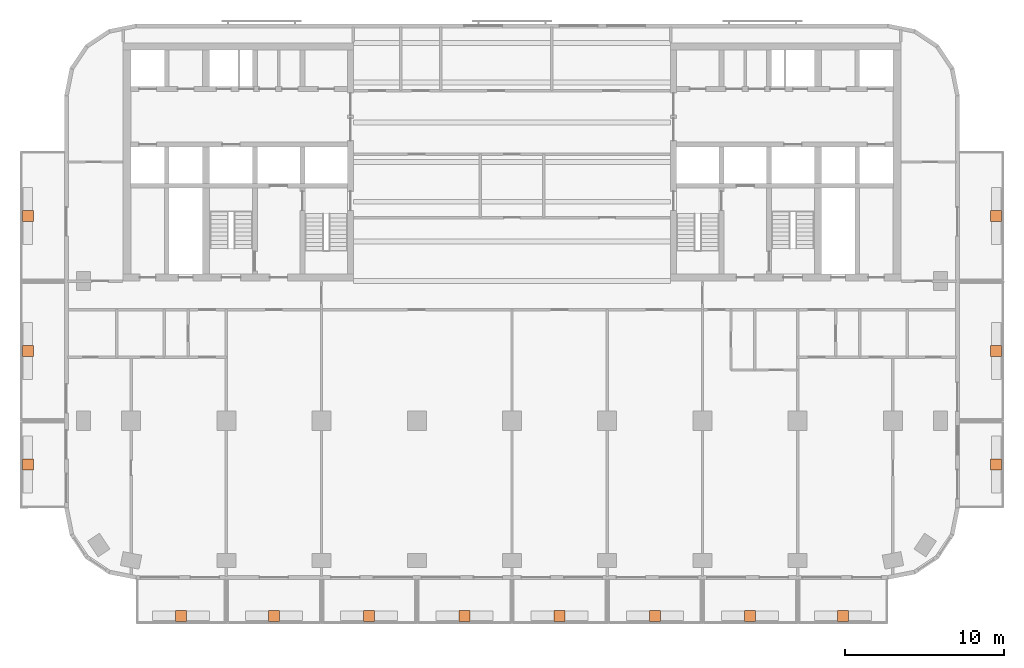
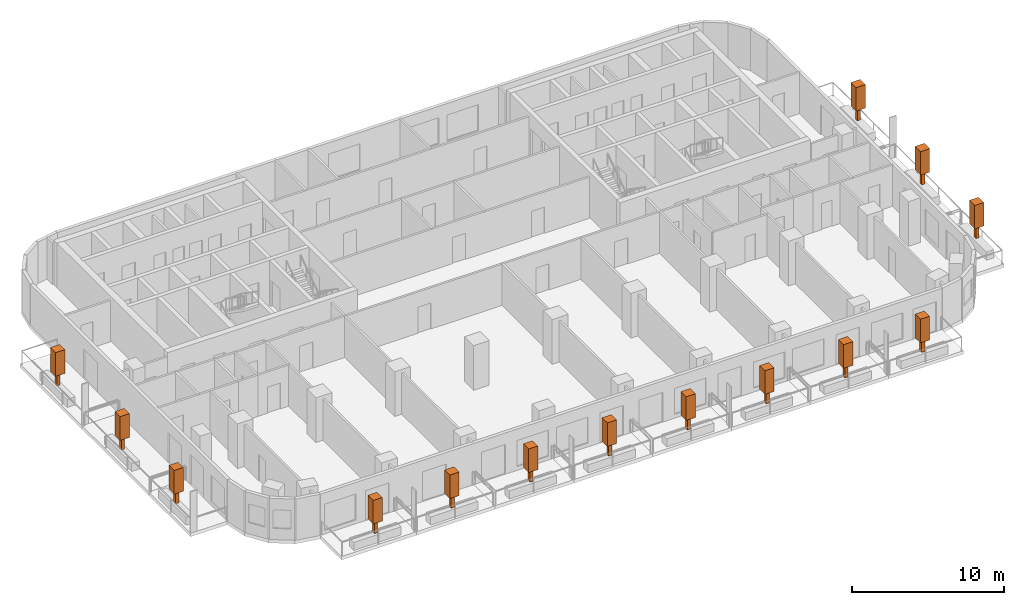
# One storey, part 11 of 11: 14 geographic elements.
"""IFC4 building model written with IfcOpenShell, lengths in metres."""

import ifcopenshell
import ifcopenshell.guid

model = None  # the IFC model being written
_history = None  # IfcOwnerHistory: only IFC2X3 demands one
_inside = {}  # id of a spatial element -> (the spatial element, [elements in it])
_under = {}  # id of a project, library or spatial element -> (it, [spatial elements below it])
_declared = {}  # id of a project -> (the project, [libraries it declares])
_typed = {}  # id of a type object -> (the type object, [elements of that type])
_made_of = {}  # id of a material, layer set ... -> (it, [elements and type objects made of it])


def new_model(schema):
    """Start an empty IFC model of exactly this schema.

    Asked for "IFC4X3", IfcOpenShell would pick the latest addendum, in which some entities
    have other attributes; the version numbers below select the first issue.
    IFC2X3 requires an IfcOwnerHistory on every rooted entity: one is made here for all.
    """
    global model, _history
    if schema == "IFC4X3":
        model = ifcopenshell.file(schema_version=(4, 3, 0, 0))
    else:
        model = ifcopenshell.file(schema=schema)
    _inside.clear()
    _under.clear()
    _declared.clear()
    _typed.clear()
    _made_of.clear()
    _history = None
    if model.schema == "IFC2X3":
        org = make("IfcOrganization", Name="unknown")
        user = make(
            "IfcPersonAndOrganization",
            ThePerson=make("IfcPerson", FamilyName="unknown"),
            TheOrganization=org,
        )
        app = make(
            "IfcApplication",
            ApplicationDeveloper=org,
            Version="unknown",
            ApplicationFullName="unknown",
            ApplicationIdentifier="unknown",
        )
        _history = make(
            "IfcOwnerHistory",
            OwningUser=user,
            OwningApplication=app,
            ChangeAction="ADDED",
            CreationDate=0,
        )
    return model


def make(cls, **values):
    """One entity of the class cls with the attributes given. An attribute that is None is left unset."""
    return model.create_entity(
        cls, **{name: value for name, value in values.items() if value is not None}
    )


def rooted(cls, **values):
    """An entity with a GlobalId (a new one), such as an element, a storey or a relation."""
    return make(cls, GlobalId=ifcopenshell.guid.new(), OwnerHistory=_history, **values)


def si_unit(unit_type, name, prefix=None):
    """IfcSIUnit, for example si_unit("LENGTHUNIT", "METRE", prefix="MILLI")."""
    return make("IfcSIUnit", UnitType=unit_type, Prefix=prefix, Name=name)


def assignment(units):
    """IfcUnitAssignment: the units of a project."""
    return None if units is None else make("IfcUnitAssignment", Units=units)


def point(xyz):
    """IfcCartesianPoint."""
    return None if xyz is None else make("IfcCartesianPoint", Coordinates=xyz)


def direction(xyz):
    """IfcDirection."""
    return None if xyz is None else make("IfcDirection", DirectionRatios=xyz)


def frame(location, z_axis=None, x_axis=None):
    """IfcAxis2Placement3D, a coordinate frame: its origin and axes. An axis left out is left unset."""
    return make(
        "IfcAxis2Placement3D",
        Location=point(location),
        Axis=direction(z_axis),
        RefDirection=direction(x_axis),
    )


def frame_2d(location, x_axis=None):
    """IfcAxis2Placement2D, a coordinate frame in the plane: its origin and x axis."""
    return make(
        "IfcAxis2Placement2D", Location=point(location), RefDirection=direction(x_axis)
    )


def origin():
    """The frame at (0, 0, 0) with its axes left unset."""
    return frame((0.0, 0.0, 0.0))


def origin_2d():
    """The frame at (0, 0) in the plane with its x axis left unset."""
    return frame_2d((0.0, 0.0))


def place(relative_to, where):
    """IfcLocalPlacement: puts the frame where relative to a parent placement (None: the world)."""
    return make(
        "IfcLocalPlacement", PlacementRelTo=relative_to, RelativePlacement=where
    )


def context(
    kind, dimensions, precision=None, world=None, true_north=None, identifier=None
):
    """IfcGeometricRepresentationContext, for example the 3D "Model" context."""
    return make(
        "IfcGeometricRepresentationContext",
        ContextIdentifier=identifier,
        ContextType=kind,
        CoordinateSpaceDimension=dimensions,
        Precision=precision,
        WorldCoordinateSystem=world,
        TrueNorth=true_north,
    )


def subcontext(parent, identifier, kind, view, scale=None):
    """IfcGeometricRepresentationSubContext, for example "Body" below "Model"."""
    return make(
        "IfcGeometricRepresentationSubContext",
        ContextIdentifier=identifier,
        ContextType=kind,
        ParentContext=parent,
        TargetScale=scale,
        TargetView=view,
    )


def project(units=None, contexts=None):
    """IfcProject with its units and contexts."""
    return rooted(
        "IfcProject",
        Name="project",
        RepresentationContexts=contexts,
        UnitsInContext=assignment(units),
    )


def spatial(cls, under=None, at=None, **own):
    """A site, building, storey or space (cls), placed at a placement, below another one or the project."""
    s = rooted(cls, ObjectPlacement=at, **own)
    if under is not None:
        _under.setdefault(under.id(), (under, []))[1].append(s)
    return s


def profile(cls, at=None, kind="AREA", **sizes):
    """A parametric profile (cls). Its sizes go by their IFC names, for example OverallWidth=200.0."""
    return make(cls, ProfileType=kind, Position=at, **sizes)


def rectangle(**sizes):
    """IfcRectangleProfileDef."""
    return profile("IfcRectangleProfileDef", **sizes)


def extrude(swept, where, along, depth):
    """IfcExtrudedAreaSolid: the profile swept, set in the frame where, extruded along a direction by depth."""
    return make(
        "IfcExtrudedAreaSolid",
        SweptArea=swept,
        Position=where,
        ExtrudedDirection=direction(along),
        Depth=depth,
    )


def shape(context_of_items, identifier, shape_type, items):
    """IfcShapeRepresentation: the items that make up one representation, for example the "Body"."""
    return make(
        "IfcShapeRepresentation",
        ContextOfItems=context_of_items,
        RepresentationIdentifier=identifier,
        RepresentationType=shape_type,
        Items=items,
    )


def material(Name=None, Category=None):
    """IfcMaterial."""
    return make("IfcMaterial", Name=Name, Category=Category)


def made_of(thing, what):
    """Note that an element or type object is made of a material, layer set ...; save() writes the relation."""
    if what is not None:
        _made_of.setdefault(what.id(), (what, []))[1].append(thing)
    return thing


def element(
    cls,
    number,
    at=None,
    inside=None,
    cuts=None,
    type_object=None,
    material=None,
    context=None,
    identifier="Body",
    shape_type=None,
    held_by="IfcProductDefinitionShape",
    body=None,
    shapes=None,
    **own,
):
    """One element of the class cls, such as IfcWall. Its Tag is "e" and its number.

    at: its placement. inside: the storey or other place that contains it. cuts: it is an
    opening in that element (IfcRelVoidsElement). A single representation is given by context,
    identifier, shape_type and body (its items); several are given by shapes. held_by: the class
    of the entity that holds the representations. save() writes the other relations.
    """
    e = rooted(cls, Tag="e%d" % number, ObjectPlacement=at, **own)
    if body is not None:
        shapes = [shape(context, identifier, shape_type, body)]
    if shapes is not None:
        e.Representation = make(held_by, Representations=shapes)
    if inside is not None:
        _inside.setdefault(inside.id(), (inside, []))[1].append(e)
    if cuts is not None:
        rooted(
            "IfcRelVoidsElement", RelatingBuildingElement=cuts, RelatedOpeningElement=e
        )
    if type_object is not None:
        _typed.setdefault(type_object.id(), (type_object, []))[1].append(e)
    return made_of(e, material)


def aggregate(whole, parts):
    """IfcRelAggregates: a whole, such as a stair, and the parts it consists of."""
    return rooted("IfcRelAggregates", RelatingObject=whole, RelatedObjects=parts)


def save(model, path):
    """Write the relations noted so far, then the file.

    IfcRelAggregates (storeys below a building ...), IfcRelContainedInSpatialStructure (elements
    in a storey), IfcRelDefinesByType, IfcRelAssociatesMaterial and IfcRelDeclares: one each for
    every whole, place, type object, material and project.
    """
    for whole, parts in _under.values():
        aggregate(whole, parts)
    for where, things in _inside.values():
        rooted(
            "IfcRelContainedInSpatialStructure",
            RelatedElements=things,
            RelatingStructure=where,
        )
    for kind, things in _typed.values():
        rooted("IfcRelDefinesByType", RelatedObjects=things, RelatingType=kind)
    for what, things in _made_of.values():
        rooted("IfcRelAssociatesMaterial", RelatedObjects=things, RelatingMaterial=what)
    for by, libraries in _declared.values():
        rooted("IfcRelDeclares", RelatingContext=by, RelatedDefinitions=libraries)
    model.write(path)


model = new_model("IFC4")

# Units and contexts
model_context = context("Model", 3, precision=1e-05, world=origin(), true_north=direction((0.0, 1.0)))
body_context = subcontext(model_context, "Body", "Model", "MODEL_VIEW")
ifc_project = project(units=[si_unit("LENGTHUNIT", "METRE"), si_unit("AREAUNIT", "SQUARE_METRE"), si_unit("VOLUMEUNIT", "CUBIC_METRE"), si_unit("PLANEANGLEUNIT", "RADIAN"), si_unit("MASSUNIT", "GRAM", prefix="KILO")], contexts=[model_context])

# Site, building, storey
site_placement = place(None, origin())
site = spatial("IfcSite", under=ifc_project, at=site_placement, CompositionType="ELEMENT")
building_placement = place(site_placement, origin())
building = spatial("IfcBuilding", under=site, at=building_placement, Name="Torana Hotel and Residences", CompositionType="ELEMENT")
storey_placement = place(building_placement, frame((0.0, 0.0, 120.0)))
storey = spatial("IfcBuildingStorey", under=building, at=storey_placement, Name="L30", CompositionType="ELEMENT", Elevation=120.0)

# Geographic elements
ifc_material = material(Name="Foliage", Category="planting")
for number, where, z_axis, x_axis, name in (
    (1, (-20.85009765625, -36.10009765625, 0.64990234375), (0.0, 0.0, 1.0), (1.0, 0.0, 0.0), "Tree 01"),
    (2, (-15.0, -36.10009765625, 0.64990234375), (0.0, 0.0, 1.0), (1.0, 0.0, 0.0), "Tree 02"),
    (3, (-9.0, -36.10009765625, 0.64990234375), (0.0, 0.0, 1.0), (1.0, 0.0, 0.0), "Tree 03"),
    (4, (-3.0, -36.10009765625, 0.64990234375), (0.0, 0.0, 1.0), (1.0, 0.0, 0.0), "Tree 04"),
    (5, (3.0, -36.10009765625, 0.64990234375), (0.0, 0.0, 1.0), (1.0, 0.0, 0.0), "Tree 05"),
    (6, (9.0, -36.10009765625, 0.64990234375), (0.0, 0.0, 1.0), (1.0, 0.0, 0.0), "Tree 06"),
    (7, (15.0, -36.10009765625, 0.64990234375), (0.0, 0.0, 1.0), (1.0, 0.0, 0.0), "Tree 07"),
    (8, (20.85009765625, -36.10009765625, 0.64990234375), (0.0, 0.0, 1.0), (1.0, 0.0, 0.0), "Tree 08"),
    (9, (-30.5, -26.550048828125, 0.64990234375), (0.0, 0.0, 1.0), (1.0, 0.0, 0.0), "Tree 09"),
    (10, (-30.5, -19.39990234375, 0.64990234375), (0.0, 0.0, 1.0), (1.0, 0.0, 0.0), "Tree 10"),
    (11, (-30.5, -10.89990234375, 0.64990234375), (0.0, 0.0, 1.0), (1.0, 0.0, 0.0), "Tree 11"),
    (12, (30.5, -26.550048828125, 0.64990234375), (0.0, 0.0, 1.0), (1.0, 0.0, 0.0), "Tree 12"),
    (13, (30.5, -19.39990234375, 0.64990234375), (0.0, 0.0, 1.0), (1.0, 0.0, 0.0), "Tree 13"),
    (14, (30.5, -10.89990234375, 0.64990234375), (0.0, 0.0, 1.0), (1.0, 0.0, 0.0), "Tree 14"),
):
    element("IfcGeographicElement", number, at=place(storey_placement, frame(where, z_axis=z_axis, x_axis=x_axis)), inside=storey, material=ifc_material, Name=name, ObjectType="TREE", PredefinedType="USERDEFINED", context=body_context, shape_type="SweptSolid", body=[
        extrude(rectangle(XDim=0.25, YDim=0.25, at=origin_2d()), origin(), (0.0, 0.0, 1.0), 1.0),
        extrude(rectangle(XDim=0.699951171875, YDim=0.699951171875, at=origin_2d()), frame((0.0, 0.0, 1.000244140625)), (0.0, 0.0, 1.0), 1.89990234375),
    ])

save(model, "model.ifc")
